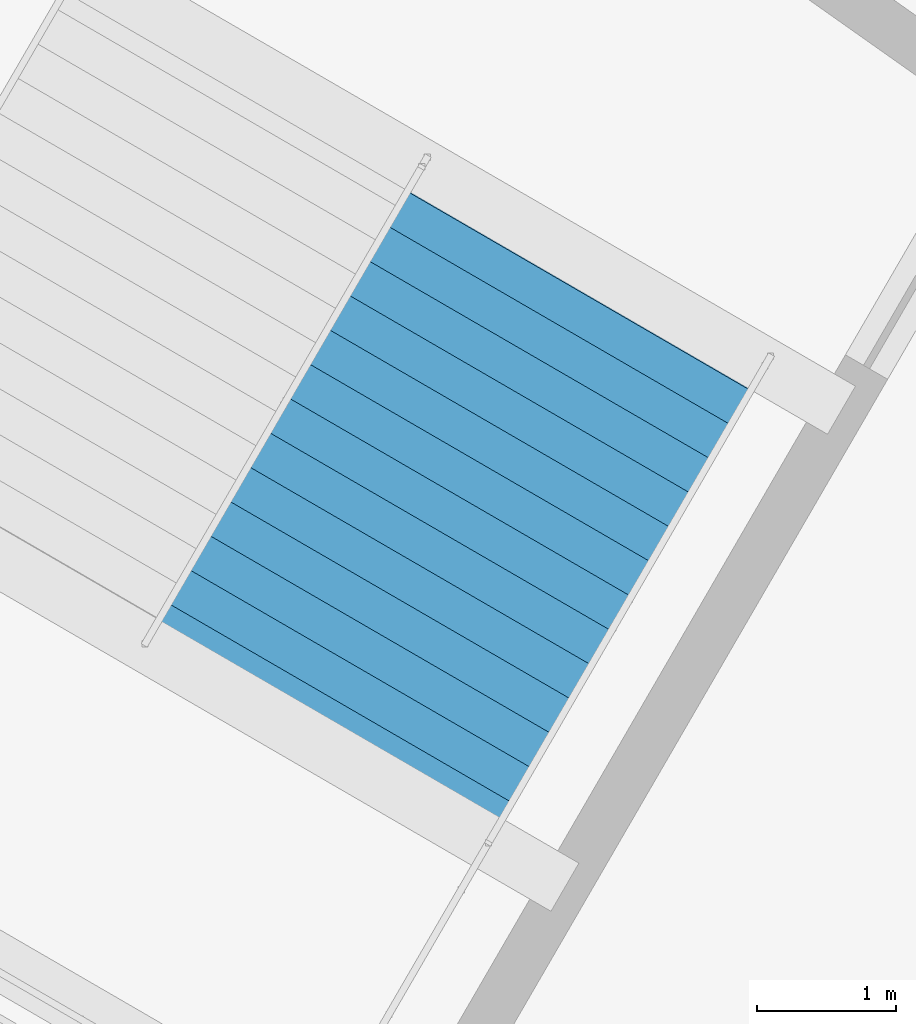
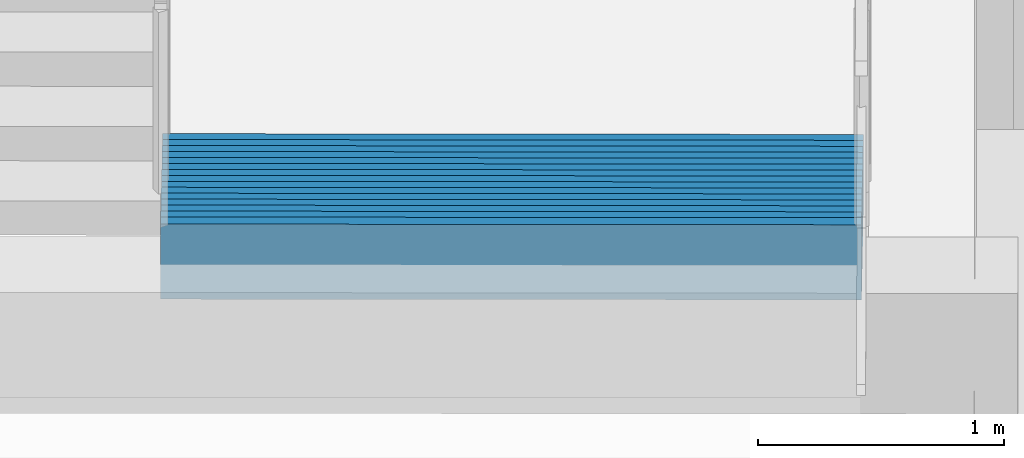
# One storey, part 167 of 184: 1 stair flight, 1 element without a shape of its own.
"""IFC4 building model written with IfcOpenShell, lengths in metres."""

from ifc_helpers import new_model, si_unit, direction, frame, origin, place, context, subcontext, project, spatial, polygons, material, type_object, element, aggregate, save


model = new_model("IFC4")

# Units and contexts
model_context = context("Model", 3, precision=1e-05, world=origin(), true_north=direction((0.0, 1.0)))
body_context = subcontext(model_context, "Body", "Model", "MODEL_VIEW")
ifc_project = project(units=[si_unit("LENGTHUNIT", "METRE"), si_unit("AREAUNIT", "SQUARE_METRE"), si_unit("VOLUMEUNIT", "CUBIC_METRE"), si_unit("PLANEANGLEUNIT", "RADIAN"), si_unit("MASSUNIT", "GRAM", prefix="KILO")], contexts=[model_context])

# Site, building, storey
site_placement = place(None, origin())
site = spatial("IfcSite", under=ifc_project, at=site_placement, CompositionType="ELEMENT")
building_placement = place(site_placement, origin())
building = spatial("IfcBuilding", under=site, at=building_placement, Name="Kazemori Nagisa Stadium", CompositionType="ELEMENT")
storey_placement = place(building_placement, frame((0.0, 0.0, 10.5400390625)))
storey = spatial("IfcBuildingStorey", under=building, at=storey_placement, Name="L02", CompositionType="ELEMENT", Elevation=10.5400390625)

# Stair, stair flight
ifc_material = material(Name="Concrete C36/45 (Fc36)", Category="concrete")
stair_type = type_object("IfcStairType", Name="Stair_CORE_30", PredefinedType="TWO_STRAIGHT_RUN_STAIR", material=ifc_material)
stair_placement = place(storey_placement, origin())
stair = element("IfcStair", 1, at=stair_placement, inside=storey, type_object=stair_type, Name="Exit stair ST08 L02", PredefinedType="TWO_STRAIGHT_RUN_STAIR")
stair_flight_type = type_object("IfcStairFlightType", Name="Flight_CORE_15", PredefinedType="STRAIGHT", material=ifc_material)
stair_flight_placement = place(storey_placement, frame((49.54345703125, 150.724609375, 0.0), z_axis=(0.0, 0.0, 1.0), x_axis=(-0.501624683017, -0.86508535844, 0.0)))
stair_flight = element("IfcStairFlight", 2, at=stair_flight_placement, type_object=stair_flight_type, Name="Exit stair ST08 L02 flight 1", NumberOfRisers=15, NumberOfTreads=14, PredefinedType="STRAIGHT", RiserHeight=0.17, TreadLength=0.285, context=body_context, shape_type="Tessellation", body=[
    polygons([(0.0, -1.425048828125, 0.0), (0.0, -1.425048828125, 0.169921875), (0.284912109375, -1.425048828125, 0.169921875), (0.284912109375, -1.425048828125, 0.340087890625), (0.570068359375, -1.425048828125, 0.340087890625), (0.570068359375, -1.425048828125, 0.510009765625), (0.85498046875, -1.425048828125, 0.510009765625), (0.85498046875, -1.425048828125, 0.679931640625), (1.139892578125, -1.425048828125, 0.679931640625), (1.139892578125, -1.425048828125, 0.85009765625), (1.425048828125, -1.425048828125, 0.85009765625), (1.425048828125, -1.425048828125, 1.02001953125), (1.7099609375, -1.425048828125, 1.02001953125), (1.7099609375, -1.425048828125, 1.18994140625), (1.9951171875, -1.425048828125, 1.18994140625), (1.9951171875, -1.425048828125, 1.360107421875), (2.280029296875, -1.425048828125, 1.360107421875), (2.280029296875, -1.425048828125, 1.530029296875), (2.56494140625, -1.425048828125, 1.530029296875), (2.56494140625, -1.425048828125, 1.699951171875), (2.85009765625, -1.425048828125, 1.699951171875), (2.85009765625, -1.425048828125, 1.8701171875), (3.135009765625, -1.425048828125, 1.8701171875), (3.135009765625, -1.425048828125, 2.0400390625), (3.419921875, -1.425048828125, 2.0400390625), (3.419921875, -1.425048828125, 2.2099609375), (3.705078125, -1.425048828125, 2.2099609375), (3.705078125, -1.425048828125, 2.3798828125), (3.989990234375, -1.425048828125, 2.3798828125), (3.989990234375, -1.425048828125, 2.550048828125), (4.0400390625, -1.425048828125, 2.550048828125), (4.0400390625, -1.425048828125, 2.177001953125), (3.989990234375, -1.425048828125, 2.147216796875), (3.705078125, -1.425048828125, 1.977294921875), (3.419921875, -1.425048828125, 1.80712890625), (3.135009765625, -1.425048828125, 1.63720703125), (2.85009765625, -1.425048828125, 1.46728515625), (2.56494140625, -1.425048828125, 1.297119140625), (2.280029296875, -1.425048828125, 1.127197265625), (1.9951171875, -1.425048828125, 0.957275390625), (1.7099609375, -1.425048828125, 0.787109375), (1.425048828125, -1.425048828125, 0.6171875), (1.139892578125, -1.425048828125, 0.447265625), (0.85498046875, -1.425048828125, 0.277099609375), (0.570068359375, -1.425048828125, 0.107177734375), (0.284912109375, -1.425048828125, 0.0), (0.0, -0.08544921875, 0.0), (0.0, -0.08544921875, 0.169921875), (0.284912109375, -0.08544921875, 0.169921875), (0.284912109375, -0.08544921875, 0.340087890625), (0.570068359375, -0.08544921875, 0.340087890625), (0.570068359375, -0.08544921875, 0.510009765625), (0.85498046875, -0.08544921875, 0.510009765625), (0.85498046875, -0.08544921875, 0.679931640625), (1.139892578125, -0.08544921875, 0.679931640625), (1.139892578125, -0.08544921875, 0.85009765625), (1.425048828125, -0.08544921875, 0.85009765625), (1.425048828125, -0.08544921875, 1.02001953125), (1.7099609375, -0.08544921875, 1.02001953125), (1.7099609375, -0.08544921875, 1.18994140625), (1.9951171875, -0.08544921875, 1.18994140625), (1.9951171875, -0.08544921875, 1.360107421875), (2.280029296875, -0.08544921875, 1.360107421875), (2.280029296875, -0.08544921875, 1.530029296875), (2.56494140625, -0.08544921875, 1.530029296875), (2.56494140625, -0.08544921875, 1.699951171875), (2.85009765625, -0.08544921875, 1.699951171875), (2.85009765625, -0.08544921875, 1.8701171875), (3.135009765625, -0.08544921875, 1.8701171875), (3.135009765625, -0.08544921875, 2.0400390625), (3.419921875, -0.08544921875, 2.0400390625), (3.419921875, -0.08544921875, 2.2099609375), (3.705078125, -0.08544921875, 2.2099609375), (3.705078125, -0.08544921875, 2.3798828125), (3.989990234375, -0.08544921875, 2.3798828125), (3.989990234375, -0.08544921875, 2.550048828125), (4.0400390625, -0.08544921875, 2.550048828125), (4.0400390625, -0.08544921875, 2.177001953125), (3.989990234375, -0.08544921875, 2.147216796875), (3.705078125, -0.08544921875, 1.977294921875), (3.419921875, -0.08544921875, 1.80712890625), (3.135009765625, -0.08544921875, 1.63720703125), (2.85009765625, -0.08544921875, 1.46728515625), (2.56494140625, -0.08544921875, 1.297119140625), (2.280029296875, -0.08544921875, 1.127197265625), (1.9951171875, -0.08544921875, 0.957275390625), (1.7099609375, -0.08544921875, 0.787109375), (1.425048828125, -0.08544921875, 0.6171875), (1.139892578125, -0.08544921875, 0.447265625), (0.85498046875, -0.08544921875, 0.277099609375), (0.570068359375, -0.08544921875, 0.107177734375), (0.284912109375, -0.08544921875, 0.0), (0.0, 0.0, 0.0), (0.0, 0.0, 0.169921875), (0.284912109375, 0.0, 0.169921875), (0.284912109375, 0.0, 0.340087890625), (0.570068359375, 0.0, 0.340087890625), (0.570068359375, 0.0, 0.510009765625), (0.85498046875, 0.0, 0.510009765625), (0.85498046875, 0.0, 0.679931640625), (1.139892578125, 0.0, 0.679931640625), (1.139892578125, 0.0, 0.85009765625), (1.425048828125, 0.0, 0.85009765625), (1.425048828125, 0.0, 1.02001953125), (1.7099609375, 0.0, 1.02001953125), (1.7099609375, 0.0, 1.18994140625), (1.9951171875, 0.0, 1.18994140625), (1.9951171875, 0.0, 1.360107421875), (2.280029296875, 0.0, 1.360107421875), (2.280029296875, 0.0, 1.530029296875), (2.56494140625, 0.0, 1.530029296875), (2.56494140625, 0.0, 1.699951171875), (2.85009765625, 0.0, 1.699951171875), (2.85009765625, 0.0, 1.8701171875), (3.135009765625, 0.0, 1.8701171875), (3.135009765625, 0.0, 2.0400390625), (3.419921875, 0.0, 2.0400390625), (3.419921875, 0.0, 2.2099609375), (3.705078125, 0.0, 2.2099609375), (3.705078125, 0.0, 2.3798828125), (3.989990234375, 0.0, 2.3798828125), (3.989990234375, 0.0, 2.550048828125), (4.0400390625, 0.0, 2.550048828125), (4.0400390625, 0.0, 2.177001953125), (3.989990234375, 0.0, 2.147216796875), (3.705078125, 0.0, 1.977294921875), (3.419921875, 0.0, 1.80712890625), (3.135009765625, 0.0, 1.63720703125), (2.85009765625, 0.0, 1.46728515625), (2.56494140625, 0.0, 1.297119140625), (2.280029296875, 0.0, 1.127197265625), (1.9951171875, 0.0, 0.957275390625), (1.7099609375, 0.0, 0.787109375), (1.425048828125, 0.0, 0.6171875), (1.139892578125, 0.0, 0.447265625), (0.85498046875, 0.0, 0.277099609375), (0.570068359375, 0.0, 0.107177734375), (0.284912109375, 0.0, 0.0), (0.0, 0.08544921875, 0.0), (0.0, 0.08544921875, 0.169921875), (0.284912109375, 0.08544921875, 0.169921875), (0.284912109375, 0.08544921875, 0.340087890625), (0.570068359375, 0.08544921875, 0.340087890625), (0.570068359375, 0.08544921875, 0.510009765625), (0.85498046875, 0.08544921875, 0.510009765625), (0.85498046875, 0.08544921875, 0.679931640625), (1.139892578125, 0.08544921875, 0.679931640625), (1.139892578125, 0.08544921875, 0.85009765625), (1.425048828125, 0.08544921875, 0.85009765625), (1.425048828125, 0.08544921875, 1.02001953125), (1.7099609375, 0.08544921875, 1.02001953125), (1.7099609375, 0.08544921875, 1.18994140625), (1.9951171875, 0.08544921875, 1.18994140625), (1.9951171875, 0.08544921875, 1.360107421875), (2.280029296875, 0.08544921875, 1.360107421875), (2.280029296875, 0.08544921875, 1.530029296875), (2.56494140625, 0.08544921875, 1.530029296875), (2.56494140625, 0.08544921875, 1.699951171875), (2.85009765625, 0.08544921875, 1.699951171875), (2.85009765625, 0.08544921875, 1.8701171875), (3.135009765625, 0.08544921875, 1.8701171875), (3.135009765625, 0.08544921875, 2.0400390625), (3.419921875, 0.08544921875, 2.0400390625), (3.419921875, 0.08544921875, 2.2099609375), (3.705078125, 0.08544921875, 2.2099609375), (3.705078125, 0.08544921875, 2.3798828125), (3.989990234375, 0.08544921875, 2.3798828125), (3.989990234375, 0.08544921875, 2.550048828125), (4.0400390625, 0.08544921875, 2.550048828125), (4.0400390625, 0.08544921875, 2.177001953125), (3.989990234375, 0.08544921875, 2.147216796875), (3.705078125, 0.08544921875, 1.977294921875), (3.419921875, 0.08544921875, 1.80712890625), (3.135009765625, 0.08544921875, 1.63720703125), (2.85009765625, 0.08544921875, 1.46728515625), (2.56494140625, 0.08544921875, 1.297119140625), (2.280029296875, 0.08544921875, 1.127197265625), (1.9951171875, 0.08544921875, 0.957275390625), (1.7099609375, 0.08544921875, 0.787109375), (1.425048828125, 0.08544921875, 0.6171875), (1.139892578125, 0.08544921875, 0.447265625), (0.85498046875, 0.08544921875, 0.277099609375), (0.570068359375, 0.08544921875, 0.107177734375), (0.284912109375, 0.08544921875, 0.0), (0.0, 1.425048828125, 0.0), (0.0, 1.425048828125, 0.169921875), (0.284912109375, 1.425048828125, 0.169921875), (0.284912109375, 1.425048828125, 0.340087890625), (0.570068359375, 1.425048828125, 0.340087890625), (0.570068359375, 1.425048828125, 0.510009765625), (0.85498046875, 1.425048828125, 0.510009765625), (0.85498046875, 1.425048828125, 0.679931640625), (1.139892578125, 1.425048828125, 0.679931640625), (1.139892578125, 1.425048828125, 0.85009765625), (1.425048828125, 1.425048828125, 0.85009765625), (1.425048828125, 1.425048828125, 1.02001953125), (1.7099609375, 1.425048828125, 1.02001953125), (1.7099609375, 1.425048828125, 1.18994140625), (1.9951171875, 1.425048828125, 1.18994140625), (1.9951171875, 1.425048828125, 1.360107421875), (2.280029296875, 1.425048828125, 1.360107421875), (2.280029296875, 1.425048828125, 1.530029296875), (2.56494140625, 1.425048828125, 1.530029296875), (2.56494140625, 1.425048828125, 1.699951171875), (2.85009765625, 1.425048828125, 1.699951171875), (2.85009765625, 1.425048828125, 1.8701171875), (3.135009765625, 1.425048828125, 1.8701171875), (3.135009765625, 1.425048828125, 2.0400390625), (3.419921875, 1.425048828125, 2.0400390625), (3.419921875, 1.425048828125, 2.2099609375), (3.705078125, 1.425048828125, 2.2099609375), (3.705078125, 1.425048828125, 2.3798828125), (3.989990234375, 1.425048828125, 2.3798828125), (3.989990234375, 1.425048828125, 2.550048828125), (4.0400390625, 1.425048828125, 2.550048828125), (4.0400390625, 1.425048828125, 2.177001953125), (3.989990234375, 1.425048828125, 2.147216796875), (3.705078125, 1.425048828125, 1.977294921875), (3.419921875, 1.425048828125, 1.80712890625), (3.135009765625, 1.425048828125, 1.63720703125), (2.85009765625, 1.425048828125, 1.46728515625), (2.56494140625, 1.425048828125, 1.297119140625), (2.280029296875, 1.425048828125, 1.127197265625), (1.9951171875, 1.425048828125, 0.957275390625), (1.7099609375, 1.425048828125, 0.787109375), (1.425048828125, 1.425048828125, 0.6171875), (1.139892578125, 1.425048828125, 0.447265625), (0.85498046875, 1.425048828125, 0.277099609375), (0.570068359375, 1.425048828125, 0.107177734375), (0.284912109375, 1.425048828125, 0.0)], [[[1, 2, 48]], [[1, 48, 47]], [[2, 3, 49]], [[2, 49, 48]], [[3, 4, 50]], [[3, 50, 49]], [[4, 5, 51]], [[4, 51, 50]], [[5, 6, 52]], [[5, 52, 51]], [[6, 7, 53]], [[6, 53, 52]], [[7, 8, 54]], [[7, 54, 53]], [[8, 9, 55]], [[8, 55, 54]], [[9, 10, 56]], [[9, 56, 55]], [[10, 11, 57]], [[10, 57, 56]], [[11, 12, 58]], [[11, 58, 57]], [[12, 13, 59]], [[12, 59, 58]], [[13, 14, 60]], [[13, 60, 59]], [[14, 15, 61]], [[14, 61, 60]], [[15, 16, 62]], [[15, 62, 61]], [[16, 17, 63]], [[16, 63, 62]], [[17, 18, 64]], [[17, 64, 63]], [[18, 19, 65]], [[18, 65, 64]], [[19, 20, 66]], [[19, 66, 65]], [[20, 21, 67]], [[20, 67, 66]], [[21, 22, 68]], [[21, 68, 67]], [[22, 23, 69]], [[22, 69, 68]], [[23, 24, 70]], [[23, 70, 69]], [[24, 25, 71]], [[24, 71, 70]], [[25, 26, 72]], [[25, 72, 71]], [[26, 27, 73]], [[26, 73, 72]], [[27, 28, 74]], [[27, 74, 73]], [[28, 29, 75]], [[28, 75, 74]], [[29, 30, 76]], [[29, 76, 75]], [[30, 31, 77]], [[30, 77, 76]], [[31, 32, 78]], [[31, 78, 77]], [[32, 33, 79]], [[32, 79, 78]], [[33, 34, 80]], [[33, 80, 79]], [[34, 35, 81]], [[34, 81, 80]], [[35, 36, 82]], [[35, 82, 81]], [[36, 37, 83]], [[36, 83, 82]], [[37, 38, 84]], [[37, 84, 83]], [[38, 39, 85]], [[38, 85, 84]], [[39, 40, 86]], [[39, 86, 85]], [[40, 41, 87]], [[40, 87, 86]], [[41, 42, 88]], [[41, 88, 87]], [[42, 43, 89]], [[42, 89, 88]], [[43, 44, 90]], [[43, 90, 89]], [[44, 45, 91]], [[44, 91, 90]], [[45, 46, 92]], [[45, 92, 91]], [[46, 1, 47]], [[46, 47, 92]], [[47, 48, 94]], [[47, 94, 93]], [[48, 49, 95]], [[48, 95, 94]], [[49, 50, 96]], [[49, 96, 95]], [[50, 51, 97]], [[50, 97, 96]], [[51, 52, 98]], [[51, 98, 97]], [[52, 53, 99]], [[52, 99, 98]], [[53, 54, 100]], [[53, 100, 99]], [[54, 55, 101]], [[54, 101, 100]], [[55, 56, 102]], [[55, 102, 101]], [[56, 57, 103]], [[56, 103, 102]], [[57, 58, 104]], [[57, 104, 103]], [[58, 59, 105]], [[58, 105, 104]], [[59, 60, 106]], [[59, 106, 105]], [[60, 61, 107]], [[60, 107, 106]], [[61, 62, 108]], [[61, 108, 107]], [[62, 63, 109]], [[62, 109, 108]], [[63, 64, 110]], [[63, 110, 109]], [[64, 65, 111]], [[64, 111, 110]], [[65, 66, 112]], [[65, 112, 111]], [[66, 67, 113]], [[66, 113, 112]], [[67, 68, 114]], [[67, 114, 113]], [[68, 69, 115]], [[68, 115, 114]], [[69, 70, 116]], [[69, 116, 115]], [[70, 71, 117]], [[70, 117, 116]], [[71, 72, 118]], [[71, 118, 117]], [[72, 73, 119]], [[72, 119, 118]], [[73, 74, 120]], [[73, 120, 119]], [[74, 75, 121]], [[74, 121, 120]], [[75, 76, 122]], [[75, 122, 121]], [[76, 77, 123]], [[76, 123, 122]], [[77, 78, 124]], [[77, 124, 123]], [[78, 79, 125]], [[78, 125, 124]], [[79, 80, 126]], [[79, 126, 125]], [[80, 81, 127]], [[80, 127, 126]], [[81, 82, 128]], [[81, 128, 127]], [[82, 83, 129]], [[82, 129, 128]], [[83, 84, 130]], [[83, 130, 129]], [[84, 85, 131]], [[84, 131, 130]], [[85, 86, 132]], [[85, 132, 131]], [[86, 87, 133]], [[86, 133, 132]], [[87, 88, 134]], [[87, 134, 133]], [[88, 89, 135]], [[88, 135, 134]], [[89, 90, 136]], [[89, 136, 135]], [[90, 91, 137]], [[90, 137, 136]], [[91, 92, 138]], [[91, 138, 137]], [[92, 47, 93]], [[92, 93, 138]], [[93, 94, 140]], [[93, 140, 139]], [[94, 95, 141]], [[94, 141, 140]], [[95, 96, 142]], [[95, 142, 141]], [[96, 97, 143]], [[96, 143, 142]], [[97, 98, 144]], [[97, 144, 143]], [[98, 99, 145]], [[98, 145, 144]], [[99, 100, 146]], [[99, 146, 145]], [[100, 101, 147]], [[100, 147, 146]], [[101, 102, 148]], [[101, 148, 147]], [[102, 103, 149]], [[102, 149, 148]], [[103, 104, 150]], [[103, 150, 149]], [[104, 105, 151]], [[104, 151, 150]], [[105, 106, 152]], [[105, 152, 151]], [[106, 107, 153]], [[106, 153, 152]], [[107, 108, 154]], [[107, 154, 153]], [[108, 109, 155]], [[108, 155, 154]], [[109, 110, 156]], [[109, 156, 155]], [[110, 111, 157]], [[110, 157, 156]], [[111, 112, 158]], [[111, 158, 157]], [[112, 113, 159]], [[112, 159, 158]], [[113, 114, 160]], [[113, 160, 159]], [[114, 115, 161]], [[114, 161, 160]], [[115, 116, 162]], [[115, 162, 161]], [[116, 117, 163]], [[116, 163, 162]], [[117, 118, 164]], [[117, 164, 163]], [[118, 119, 165]], [[118, 165, 164]], [[119, 120, 166]], [[119, 166, 165]], [[120, 121, 167]], [[120, 167, 166]], [[121, 122, 168]], [[121, 168, 167]], [[122, 123, 169]], [[122, 169, 168]], [[123, 124, 170]], [[123, 170, 169]], [[124, 125, 171]], [[124, 171, 170]], [[125, 126, 172]], [[125, 172, 171]], [[126, 127, 173]], [[126, 173, 172]], [[127, 128, 174]], [[127, 174, 173]], [[128, 129, 175]], [[128, 175, 174]], [[129, 130, 176]], [[129, 176, 175]], [[130, 131, 177]], [[130, 177, 176]], [[131, 132, 178]], [[131, 178, 177]], [[132, 133, 179]], [[132, 179, 178]], [[133, 134, 180]], [[133, 180, 179]], [[134, 135, 181]], [[134, 181, 180]], [[135, 136, 182]], [[135, 182, 181]], [[136, 137, 183]], [[136, 183, 182]], [[137, 138, 184]], [[137, 184, 183]], [[138, 93, 139]], [[138, 139, 184]], [[139, 140, 186]], [[139, 186, 185]], [[140, 141, 187]], [[140, 187, 186]], [[141, 142, 188]], [[141, 188, 187]], [[142, 143, 189]], [[142, 189, 188]], [[143, 144, 190]], [[143, 190, 189]], [[144, 145, 191]], [[144, 191, 190]], [[145, 146, 192]], [[145, 192, 191]], [[146, 147, 193]], [[146, 193, 192]], [[147, 148, 194]], [[147, 194, 193]], [[148, 149, 195]], [[148, 195, 194]], [[149, 150, 196]], [[149, 196, 195]], [[150, 151, 197]], [[150, 197, 196]], [[151, 152, 198]], [[151, 198, 197]], [[152, 153, 199]], [[152, 199, 198]], [[153, 154, 200]], [[153, 200, 199]], [[154, 155, 201]], [[154, 201, 200]], [[155, 156, 202]], [[155, 202, 201]], [[156, 157, 203]], [[156, 203, 202]], [[157, 158, 204]], [[157, 204, 203]], [[158, 159, 205]], [[158, 205, 204]], [[159, 160, 206]], [[159, 206, 205]], [[160, 161, 207]], [[160, 207, 206]], [[161, 162, 208]], [[161, 208, 207]], [[162, 163, 209]], [[162, 209, 208]], [[163, 164, 210]], [[163, 210, 209]], [[164, 165, 211]], [[164, 211, 210]], [[165, 166, 212]], [[165, 212, 211]], [[166, 167, 213]], [[166, 213, 212]], [[167, 168, 214]], [[167, 214, 213]], [[168, 169, 215]], [[168, 215, 214]], [[169, 170, 216]], [[169, 216, 215]], [[170, 171, 217]], [[170, 217, 216]], [[171, 172, 218]], [[171, 218, 217]], [[172, 173, 219]], [[172, 219, 218]], [[173, 174, 220]], [[173, 220, 219]], [[174, 175, 221]], [[174, 221, 220]], [[175, 176, 222]], [[175, 222, 221]], [[176, 177, 223]], [[176, 223, 222]], [[177, 178, 224]], [[177, 224, 223]], [[178, 179, 225]], [[178, 225, 224]], [[179, 180, 226]], [[179, 226, 225]], [[180, 181, 227]], [[180, 227, 226]], [[181, 182, 228]], [[181, 228, 227]], [[182, 183, 229]], [[182, 229, 228]], [[183, 184, 230]], [[183, 230, 229]], [[184, 139, 185]], [[184, 185, 230]], [[3, 2, 1]], [[185, 186, 187]], [[46, 3, 1]], [[185, 187, 230]], [[45, 3, 46]], [[230, 187, 229]], [[5, 3, 45]], [[229, 187, 189]], [[5, 4, 3]], [[187, 188, 189]], [[44, 5, 45]], [[229, 189, 228]], [[7, 5, 44]], [[228, 189, 191]], [[7, 6, 5]], [[189, 190, 191]], [[43, 7, 44]], [[228, 191, 227]], [[9, 7, 43]], [[227, 191, 193]], [[9, 8, 7]], [[191, 192, 193]], [[42, 9, 43]], [[227, 193, 226]], [[11, 9, 42]], [[226, 193, 195]], [[11, 10, 9]], [[193, 194, 195]], [[41, 11, 42]], [[226, 195, 225]], [[13, 11, 41]], [[225, 195, 197]], [[13, 12, 11]], [[195, 196, 197]], [[40, 13, 41]], [[225, 197, 224]], [[15, 13, 40]], [[224, 197, 199]], [[15, 14, 13]], [[197, 198, 199]], [[39, 15, 40]], [[224, 199, 223]], [[17, 15, 39]], [[223, 199, 201]], [[17, 16, 15]], [[199, 200, 201]], [[38, 17, 39]], [[223, 201, 222]], [[19, 17, 38]], [[222, 201, 203]], [[19, 18, 17]], [[201, 202, 203]], [[37, 19, 38]], [[222, 203, 221]], [[21, 19, 37]], [[221, 203, 205]], [[21, 20, 19]], [[203, 204, 205]], [[36, 21, 37]], [[221, 205, 220]], [[23, 21, 36]], [[220, 205, 207]], [[23, 22, 21]], [[205, 206, 207]], [[35, 23, 36]], [[220, 207, 219]], [[25, 23, 35]], [[219, 207, 209]], [[25, 24, 23]], [[207, 208, 209]], [[34, 25, 35]], [[219, 209, 218]], [[27, 25, 34]], [[218, 209, 211]], [[27, 26, 25]], [[209, 210, 211]], [[33, 27, 34]], [[218, 211, 217]], [[29, 27, 33]], [[217, 211, 213]], [[29, 28, 27]], [[211, 212, 213]], [[32, 29, 33]], [[217, 213, 216]], [[31, 29, 32]], [[216, 213, 215]], [[31, 30, 29]], [[213, 214, 215]]], closed=True),
])
aggregate(stair, [stair_flight])

save(model, "model.ifc")
